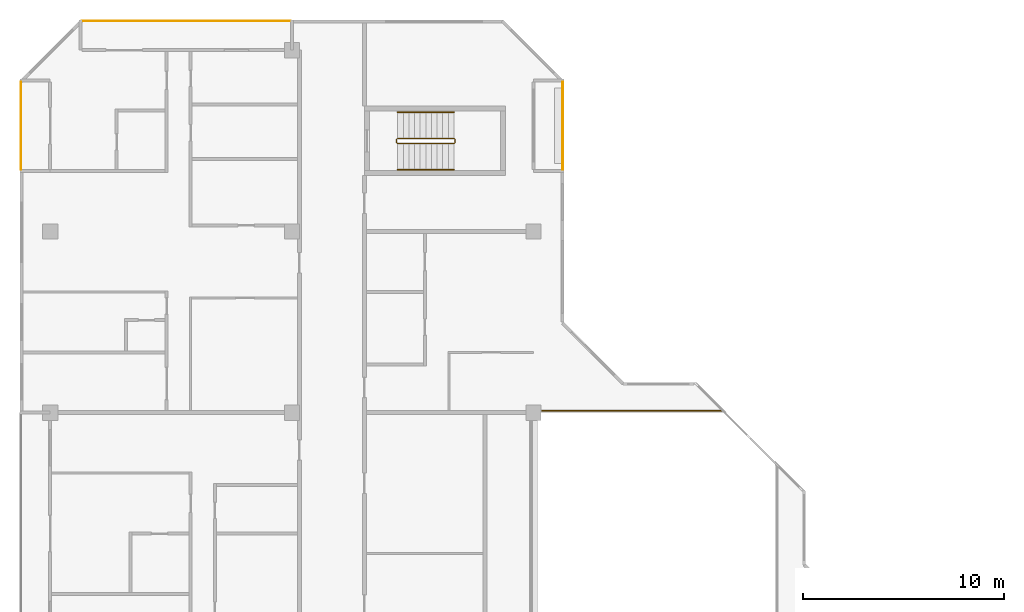
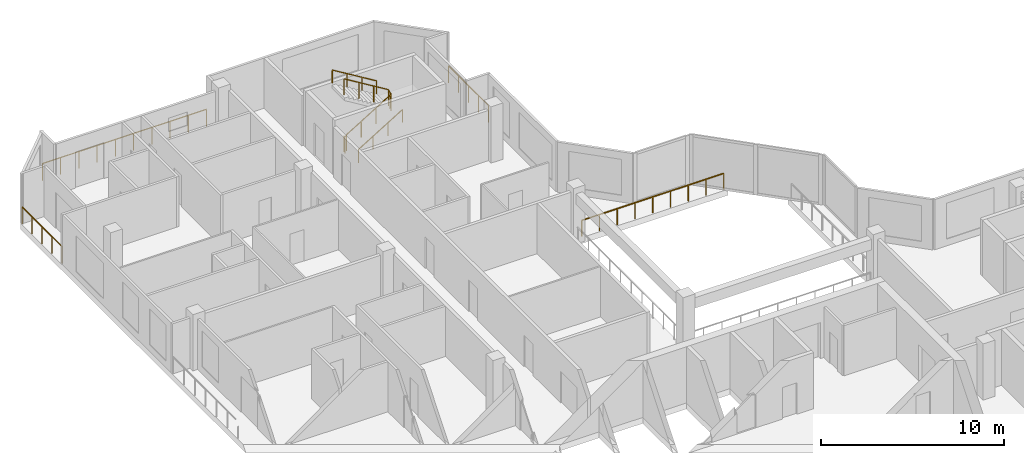
# One storey, part 12 of 12: 7 railings.
"""IFC4 building model written with IfcOpenShell, lengths in metres."""

from ifc_helpers import new_model, si_unit, direction, frame, origin, origin_2d, place, context, subcontext, project, spatial, rectangle, extrude, material, type_object, element, save


model = new_model("IFC4")

# Units and contexts
model_context = context("Model", 3, precision=1e-05, world=origin(), true_north=direction((0.0, 1.0)))
body_context = subcontext(model_context, "Body", "Model", "MODEL_VIEW")
ifc_project = project(units=[si_unit("LENGTHUNIT", "METRE"), si_unit("AREAUNIT", "SQUARE_METRE"), si_unit("VOLUMEUNIT", "CUBIC_METRE"), si_unit("PLANEANGLEUNIT", "RADIAN"), si_unit("MASSUNIT", "GRAM", prefix="KILO")], contexts=[model_context])

# Site, building, storey
site_placement = place(None, origin())
site = spatial("IfcSite", under=ifc_project, at=site_placement, CompositionType="ELEMENT")
building_placement = place(site_placement, origin())
building = spatial("IfcBuilding", under=site, at=building_placement, Name="Chenar Terraces", CompositionType="ELEMENT")
storey_placement = place(building_placement, frame((0.0, 0.0, 357.64990234375)))
storey = spatial("IfcBuildingStorey", under=building, at=storey_placement, Name="L83", CompositionType="ELEMENT", Elevation=357.64990234375)

# Railings
ifc_material_1 = material(Name="Powder-coated steel", Category="steel")
railing_type_1 = type_object("IfcRailingType", Name="Guard 1100 steel rail with glass infill", PredefinedType="GUARDRAIL", material=ifc_material_1)
railing_1_placement = place(storey_placement, frame((24.425048828125, 36.10009765625, 0.0)))
element("IfcRailing", 1, at=railing_1_placement, inside=storey, type_object=railing_type_1, Name="Guard L83-2", PredefinedType="GUARDRAIL", context=body_context, shape_type="SweptSolid", body=[
    extrude(rectangle(XDim=0.06005859375, YDim=0.06005859375, at=origin_2d()), frame((0.0, 0.0, 1.070068359375), z_axis=(1.0, 0.0, 0.0), x_axis=(0.0, 1.0, 0.0)), (0.0, 0.0, 1.0), 8.974853515625),
    extrude(rectangle(XDim=0.050048828125, YDim=0.050048828125, at=origin_2d()), origin(), (0.0, 0.0, 1.0), 1.0400390625),
    extrude(rectangle(XDim=0.050048828125, YDim=0.050048828125, at=origin_2d()), frame((1.121826171875, 0.0, 0.0)), (0.0, 0.0, 1.0), 1.0400390625),
    extrude(rectangle(XDim=0.050048828125, YDim=0.050048828125, at=origin_2d()), frame((2.24365234375, 0.0, 0.0)), (0.0, 0.0, 1.0), 1.0400390625),
    extrude(rectangle(XDim=0.050048828125, YDim=0.050048828125, at=origin_2d()), frame((3.365478515625, 0.0, 0.0)), (0.0, 0.0, 1.0), 1.0400390625),
    extrude(rectangle(XDim=0.050048828125, YDim=0.050048828125, at=origin_2d()), frame((4.4873046875, 0.0, 0.0)), (0.0, 0.0, 1.0), 1.0400390625),
    extrude(rectangle(XDim=0.050048828125, YDim=0.050048828125, at=origin_2d()), frame((5.609375, 0.0, 0.0)), (0.0, 0.0, 1.0), 1.0400390625),
    extrude(rectangle(XDim=0.050048828125, YDim=0.050048828125, at=origin_2d()), frame((6.731201171875, 0.0, 0.0)), (0.0, 0.0, 1.0), 1.0400390625),
    extrude(rectangle(XDim=0.050048828125, YDim=0.050048828125, at=origin_2d()), frame((7.85302734375, 0.0, 0.0)), (0.0, 0.0, 1.0), 1.0400390625),
    extrude(rectangle(XDim=0.050048828125, YDim=0.050048828125, at=origin_2d()), frame((8.974853515625, 0.0, 0.0)), (0.0, 0.0, 1.0), 1.0400390625),
])
ifc_material_2 = material(Name="Stainless steel and glass", Category="steel")
railing_type_2 = type_object("IfcRailingType", Name="Loggia guard 1150", PredefinedType="GUARDRAIL", material=ifc_material_2)
railing_2_placement = place(storey_placement, frame((25.449951171875, 48.074951171875, 0.0)))
element("IfcRailing", 2, at=railing_2_placement, inside=storey, type_object=railing_type_2, Name="Loggia guard", PredefinedType="GUARDRAIL", context=body_context, shape_type="SweptSolid", body=[
    extrude(rectangle(XDim=0.048095703125, YDim=0.048095703125, at=origin_2d()), frame((0.0, 0.0, 1.1259765625), z_axis=(0.0, 1.0, 0.0), x_axis=(-1.0, 0.0, 0.0)), (0.0, 0.0, 1.0), 4.35009765625),
    extrude(rectangle(XDim=0.0419921875, YDim=0.0419921875, at=origin_2d()), origin(), (0.0, 0.0, 1.0), 1.101806640625),
    extrude(rectangle(XDim=0.0419921875, YDim=0.0419921875, at=origin_2d()), frame((0.0, 1.08740234375, 0.0)), (0.0, 0.0, 1.0), 1.101806640625),
    extrude(rectangle(XDim=0.0419921875, YDim=0.0419921875, at=origin_2d()), frame((0.0, 2.175048828125, 0.0)), (0.0, 0.0, 1.0), 1.101806640625),
    extrude(rectangle(XDim=0.0419921875, YDim=0.0419921875, at=origin_2d()), frame((0.0, 3.2626953125, 0.0)), (0.0, 0.0, 1.0), 1.101806640625),
    extrude(rectangle(XDim=0.0419921875, YDim=0.0419921875, at=origin_2d()), frame((0.0, 4.35009765625, 0.0)), (0.0, 0.0, 1.0), 1.101806640625),
])
railing_3_placement = place(storey_placement, frame((11.925048828125, 55.449951171875, 0.0)))
element("IfcRailing", 3, at=railing_3_placement, inside=storey, type_object=railing_type_2, Name="Loggia guard", PredefinedType="GUARDRAIL", context=body_context, shape_type="SweptSolid", body=[
    extrude(rectangle(XDim=0.048095703125, YDim=0.048095703125, at=origin_2d()), frame((0.0, 0.0, 1.1259765625), z_axis=(-1.0, 0.0, 0.0), x_axis=(0.0, -1.0, 0.0)), (0.0, 0.0, 1.0), 10.35009765625),
    extrude(rectangle(XDim=0.0419921875, YDim=0.0419921875, at=origin_2d()), origin(), (0.0, 0.0, 1.0), 1.101806640625),
    extrude(rectangle(XDim=0.0419921875, YDim=0.0419921875, at=origin_2d()), frame((-1.14990234375, 0.0, 0.0)), (0.0, 0.0, 1.0), 1.101806640625),
    extrude(rectangle(XDim=0.0419921875, YDim=0.0419921875, at=origin_2d()), frame((-2.300048828125, 0.0, 0.0)), (0.0, 0.0, 1.0), 1.101806640625),
    extrude(rectangle(XDim=0.0419921875, YDim=0.0419921875, at=origin_2d()), frame((-3.449951171875, 0.0, 0.0)), (0.0, 0.0, 1.0), 1.101806640625),
    extrude(rectangle(XDim=0.0419921875, YDim=0.0419921875, at=origin_2d()), frame((-4.60009765625, 0.0, 0.0)), (0.0, 0.0, 1.0), 1.101806640625),
    extrude(rectangle(XDim=0.0419921875, YDim=0.0419921875, at=origin_2d()), frame((-5.75, 0.0, 0.0)), (0.0, 0.0, 1.0), 1.101806640625),
    extrude(rectangle(XDim=0.0419921875, YDim=0.0419921875, at=origin_2d()), frame((-6.900146484375, 0.0, 0.0)), (0.0, 0.0, 1.0), 1.101806640625),
    extrude(rectangle(XDim=0.0419921875, YDim=0.0419921875, at=origin_2d()), frame((-8.050048828125, 0.0, 0.0)), (0.0, 0.0, 1.0), 1.101806640625),
    extrude(rectangle(XDim=0.0419921875, YDim=0.0419921875, at=origin_2d()), frame((-9.2001953125, 0.0, 0.0)), (0.0, 0.0, 1.0), 1.101806640625),
    extrude(rectangle(XDim=0.0419921875, YDim=0.0419921875, at=origin_2d()), frame((-10.35009765625, 0.0, 0.0)), (0.0, 0.0, 1.0), 1.101806640625),
])
railing_4_placement = place(storey_placement, frame((-1.449951171875, 52.425048828125, 0.0)))
element("IfcRailing", 4, at=railing_4_placement, inside=storey, type_object=railing_type_2, Name="Loggia guard", PredefinedType="GUARDRAIL", context=body_context, shape_type="SweptSolid", body=[
    extrude(rectangle(XDim=0.048095703125, YDim=0.048095703125, at=origin_2d()), frame((0.0, 0.0, 1.1259765625), z_axis=(0.0, -1.0, 0.0), x_axis=(1.0, 0.0, 0.0)), (0.0, 0.0, 1.0), 4.35009765625),
    extrude(rectangle(XDim=0.0419921875, YDim=0.0419921875, at=origin_2d()), origin(), (0.0, 0.0, 1.0), 1.101806640625),
    extrude(rectangle(XDim=0.0419921875, YDim=0.0419921875, at=origin_2d()), frame((0.0, -1.08740234375, 0.0)), (0.0, 0.0, 1.0), 1.101806640625),
    extrude(rectangle(XDim=0.0419921875, YDim=0.0419921875, at=origin_2d()), frame((0.0, -2.175048828125, 0.0)), (0.0, 0.0, 1.0), 1.101806640625),
    extrude(rectangle(XDim=0.0419921875, YDim=0.0419921875, at=origin_2d()), frame((0.0, -3.2626953125, 0.0)), (0.0, 0.0, 1.0), 1.101806640625),
    extrude(rectangle(XDim=0.0419921875, YDim=0.0419921875, at=origin_2d()), frame((0.0, -4.35009765625, 0.0)), (0.0, 0.0, 1.0), 1.101806640625),
])
ifc_material_3 = material(Name="Powder-coated steel", Category="steel")
railing_type_3 = type_object("IfcRailingType", Name="Stair guard 1100", PredefinedType="GUARDRAIL", material=ifc_material_3)
railing_5_placement = place(storey_placement, frame((17.25, 49.625, 3.75)))
element("IfcRailing", 5, at=railing_5_placement, inside=storey, type_object=railing_type_3, Name="L83 ST4 stair guard 1", PredefinedType="GUARDRAIL", context=body_context, shape_type="SweptSolid", body=[
    extrude(rectangle(XDim=0.048095703125, YDim=0.048095703125, at=origin_2d()), frame((0.0, 0.0, 1.076171875), z_axis=(0.854202870247, 0.0, -0.519939858505), x_axis=(0.0, 1.0, 0.0)), (0.0, 0.0, 1.0), 3.278076171875),
    extrude(rectangle(XDim=0.048095703125, YDim=0.048095703125, at=origin_2d()), frame((2.800048828125, 0.0, -0.62841796875), z_axis=(0.270899902878, -0.270899902878, -0.923702595667), x_axis=(0.707106781187, 0.707106781187, 0.0)), (0.0, 0.0, 1.0), 0.184814453125),
    extrude(rectangle(XDim=0.048095703125, YDim=0.048095703125, at=origin_2d()), frame((2.85009765625, -0.050048828125, -0.798828125), z_axis=(0.0, -1.0, 0.0), x_axis=(1.0, 0.0, 0.0)), (0.0, 0.0, 1.0), 0.14990234375),
    extrude(rectangle(XDim=0.048095703125, YDim=0.048095703125, at=origin_2d()), frame((2.85009765625, -0.199951171875, -0.798828125), z_axis=(-0.707106781187, -0.707106781187, 0.0), x_axis=(0.707106781187, -0.707106781187, 0.0)), (0.0, 0.0, 1.0), 0.07080078125),
    extrude(rectangle(XDim=0.048095703125, YDim=0.048095703125, at=origin_2d()), frame((2.800048828125, -0.25, -0.798828125), z_axis=(-0.854202870247, 0.0, -0.519939858505), x_axis=(0.0, -1.0, 0.0)), (0.0, 0.0, 1.0), 3.278076171875),
    extrude(rectangle(XDim=0.048095703125, YDim=0.048095703125, at=origin_2d()), frame((0.0, -0.25, -2.50341796875), z_axis=(-0.270899902878, 0.270899902878, -0.923702595667), x_axis=(-0.707106781187, -0.707106781187, 0.0)), (0.0, 0.0, 1.0), 0.184814453125),
    extrude(rectangle(XDim=0.048095703125, YDim=0.048095703125, at=origin_2d()), frame((-0.050048828125, -0.199951171875, -2.673828125), z_axis=(0.0, 1.0, 0.0), x_axis=(-1.0, 0.0, 0.0)), (0.0, 0.0, 1.0), 0.14990234375),
    extrude(rectangle(XDim=0.0419921875, YDim=0.0419921875, at=origin_2d()), origin(), (0.0, 0.0, 1.0), 1.052001953125),
    extrude(rectangle(XDim=0.0419921875, YDim=0.0419921875, at=origin_2d()), frame((0.933349609375, 0.0, -0.568115234375)), (0.0, 0.0, 1.0), 1.052001953125),
    extrude(rectangle(XDim=0.0419921875, YDim=0.0419921875, at=origin_2d()), frame((1.86669921875, 0.0, -1.13623046875)), (0.0, 0.0, 1.0), 1.052001953125),
    extrude(rectangle(XDim=0.0419921875, YDim=0.0419921875, at=origin_2d()), frame((2.800048828125, 0.0, -1.704345703125)), (0.0, 0.0, 1.0), 1.052001953125),
    extrude(rectangle(XDim=0.0419921875, YDim=0.0419921875, at=origin_2d()), frame((2.85009765625, -0.050048828125, -1.875)), (0.0, 0.0, 1.0), 1.052001953125),
    extrude(rectangle(XDim=0.0419921875, YDim=0.0419921875, at=origin_2d()), frame((2.85009765625, -0.199951171875, -1.875)), (0.0, 0.0, 1.0), 1.052001953125),
    extrude(rectangle(XDim=0.0419921875, YDim=0.0419921875, at=origin_2d()), frame((2.800048828125, -0.25, -1.875)), (0.0, 0.0, 1.0), 1.052001953125),
    extrude(rectangle(XDim=0.0419921875, YDim=0.0419921875, at=origin_2d()), frame((1.86669921875, -0.25, -2.443115234375)), (0.0, 0.0, 1.0), 1.052001953125),
    extrude(rectangle(XDim=0.0419921875, YDim=0.0419921875, at=origin_2d()), frame((0.933349609375, -0.25, -3.01123046875)), (0.0, 0.0, 1.0), 1.052001953125),
    extrude(rectangle(XDim=0.0419921875, YDim=0.0419921875, at=origin_2d()), frame((0.0, -0.25, -3.579345703125)), (0.0, 0.0, 1.0), 1.052001953125),
    extrude(rectangle(XDim=0.0419921875, YDim=0.0419921875, at=origin_2d()), frame((-0.050048828125, -0.199951171875, -3.75)), (0.0, 0.0, 1.0), 1.052001953125),
    extrude(rectangle(XDim=0.0419921875, YDim=0.0419921875, at=origin_2d()), frame((-0.050048828125, -0.050048828125, -3.75)), (0.0, 0.0, 1.0), 1.052001953125),
])
ifc_material_4 = material(Name="Powder-coated steel", Category="steel")
railing_type_4 = type_object("IfcRailingType", Name="Stair handrail 900", PredefinedType="HANDRAIL", material=ifc_material_4)
railing_6_placement = place(storey_placement, frame((17.25, 48.074951171875, 0.170654296875)))
element("IfcRailing", 6, at=railing_6_placement, inside=storey, type_object=railing_type_4, Name="L83 ST4 stair handrail 1", PredefinedType="HANDRAIL", context=body_context, shape_type="SweptSolid", body=[
    extrude(rectangle(XDim=0.048095703125, YDim=0.048095703125, at=origin_2d()), frame((0.0, 0.0, 0.8759765625), z_axis=(0.854202870247, 0.0, 0.519939858505), x_axis=(0.0, 1.0, 0.0)), (0.0, 0.0, 1.0), 3.278076171875),
    extrude(rectangle(XDim=0.0419921875, YDim=0.0419921875, at=origin_2d()), origin(), (0.0, 0.0, 1.0), 0.851806640625),
    extrude(rectangle(XDim=0.0419921875, YDim=0.0419921875, at=origin_2d()), frame((0.933349609375, 0.0, 0.568115234375)), (0.0, 0.0, 1.0), 0.851806640625),
    extrude(rectangle(XDim=0.0419921875, YDim=0.0419921875, at=origin_2d()), frame((1.86669921875, 0.0, 1.13623046875)), (0.0, 0.0, 1.0), 0.851806640625),
    extrude(rectangle(XDim=0.0419921875, YDim=0.0419921875, at=origin_2d()), frame((2.800048828125, 0.0, 1.704345703125)), (0.0, 0.0, 1.0), 0.851806640625),
])
railing_7_placement = place(storey_placement, frame((20.050048828125, 50.925048828125, 2.045654296875)))
element("IfcRailing", 7, at=railing_7_placement, inside=storey, type_object=railing_type_4, Name="L83 ST4 stair handrail 2", PredefinedType="HANDRAIL", context=body_context, shape_type="SweptSolid", body=[
    extrude(rectangle(XDim=0.048095703125, YDim=0.048095703125, at=origin_2d()), frame((0.0, 0.0, 0.8759765625), z_axis=(-0.854202870247, 0.0, 0.519939858505), x_axis=(0.0, -1.0, 0.0)), (0.0, 0.0, 1.0), 3.278076171875),
    extrude(rectangle(XDim=0.0419921875, YDim=0.0419921875, at=origin_2d()), origin(), (0.0, 0.0, 1.0), 0.851806640625),
    extrude(rectangle(XDim=0.0419921875, YDim=0.0419921875, at=origin_2d()), frame((-0.933349609375, 0.0, 0.568115234375)), (0.0, 0.0, 1.0), 0.851806640625),
    extrude(rectangle(XDim=0.0419921875, YDim=0.0419921875, at=origin_2d()), frame((-1.86669921875, 0.0, 1.13623046875)), (0.0, 0.0, 1.0), 0.851806640625),
    extrude(rectangle(XDim=0.0419921875, YDim=0.0419921875, at=origin_2d()), frame((-2.800048828125, 0.0, 1.704345703125)), (0.0, 0.0, 1.0), 0.851806640625),
])

save(model, "model.ifc")
